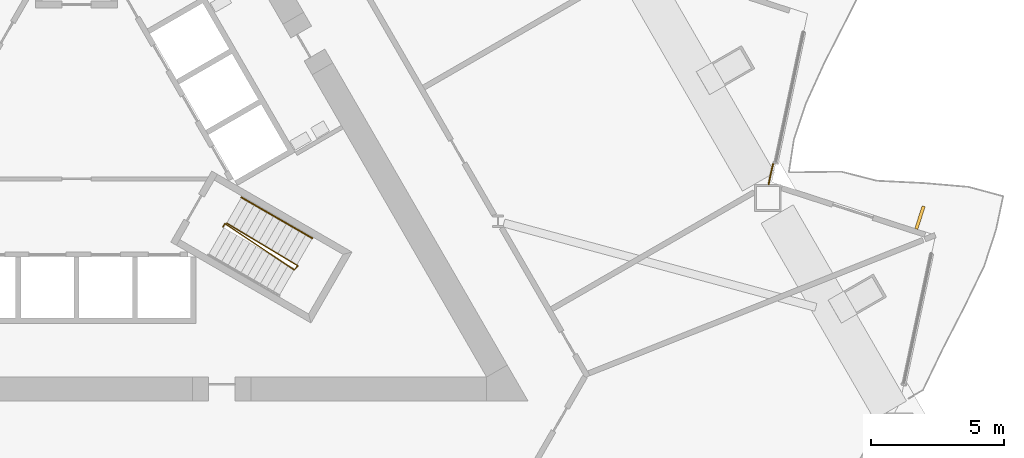
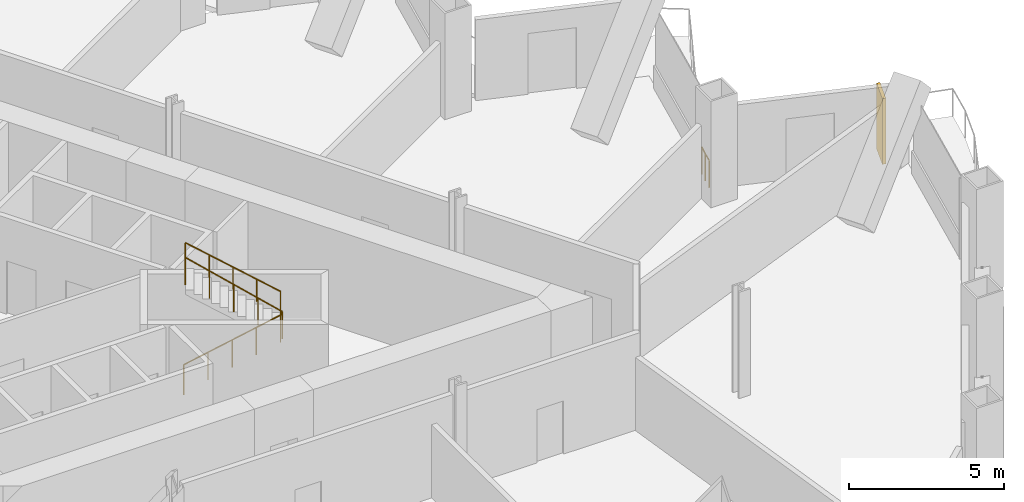
# One storey, part 18 of 22: 3 railings, 1 shading device.
"""IFC4 building model written with IfcOpenShell, lengths in metres."""

from ifc_helpers import new_model, si_unit, direction, frame, origin, origin_2d, place, context, subcontext, project, spatial, rectangle, circle, extrude, material, layer, layer_set, type_object, element, save


model = new_model("IFC4")

# Units and contexts
model_context = context("Model", 3, precision=1e-05, world=origin(), true_north=direction((0.0, 1.0)))
body_context = subcontext(model_context, "Body", "Model", "MODEL_VIEW")
ifc_project = project(units=[si_unit("LENGTHUNIT", "METRE"), si_unit("AREAUNIT", "SQUARE_METRE"), si_unit("VOLUMEUNIT", "CUBIC_METRE"), si_unit("PLANEANGLEUNIT", "RADIAN"), si_unit("MASSUNIT", "GRAM", prefix="KILO")], contexts=[model_context])

# Site, building, storey
site_placement = place(None, origin())
site = spatial("IfcSite", under=ifc_project, at=site_placement, CompositionType="ELEMENT")
building_placement = place(site_placement, origin())
building = spatial("IfcBuilding", under=site, at=building_placement, Name="Cormorant Prow Tower", CompositionType="ELEMENT")
storey_placement = place(building_placement, frame((0.0, 0.0, 30.0)))
storey = spatial("IfcBuildingStorey", under=building, at=storey_placement, Name="L05", CompositionType="ELEMENT", Elevation=30.0)

# Railings
ifc_material_1 = material(Name="Stainless steel", Category="steel")
railing_type_1 = type_object("IfcRailingType", Name="Facade corner guard 1100", PredefinedType="GUARDRAIL", material=ifc_material_1)
railing_1_placement = place(storey_placement, frame((26.23583984375, -0.885009765625, 0.0)))
element("IfcRailing", 1, at=railing_1_placement, inside=storey, type_object=railing_type_1, Name="Facade corner guard L05 6", PredefinedType="GUARDRAIL", context=body_context, shape_type="SweptSolid", body=[
    extrude(circle(Radius=0.02392578125, at=origin_2d()), frame((0.0, 0.0, 1.076171875), z_axis=(-0.243730196982, -0.969843075492, 0.0), x_axis=(0.969843075492, -0.243730196982, 0.0)), (0.0, 0.0, 1.0), 0.384765625),
    extrude(circle(Radius=0.02392578125, at=origin_2d()), frame((-0.09375, -0.373046875, 1.076171875), z_axis=(-0.194948082766, -0.980813562827, 0.0), x_axis=(0.980813562827, -0.194948082766, 0.0)), (0.0, 0.0, 1.0), 0.402099609375),
    extrude(circle(Radius=0.02099609375, at=origin_2d()), origin(), (0.0, 0.0, 1.0), 1.052001953125),
    extrude(circle(Radius=0.02099609375, at=origin_2d()), frame((-0.09375, -0.373046875, 0.0)), (0.0, 0.0, 1.0), 1.052001953125),
    extrude(circle(Radius=0.02099609375, at=origin_2d()), frame((-0.172119140625, -0.767333984375, 0.0)), (0.0, 0.0, 1.0), 1.052001953125),
])
ifc_material_2 = material(Name="Stainless steel", Category="steel")
railing_type_2 = type_object("IfcRailingType", Name="Stair guard 1100", PredefinedType="GUARDRAIL", material=ifc_material_2)
railing_2_placement = place(storey_placement, frame((5.510009765625, -3.267822265625, 0.0)))
element("IfcRailing", 2, at=railing_2_placement, inside=storey, type_object=railing_type_2, Name="L05 ST2 stair guard 1", PredefinedType="GUARDRAIL", context=body_context, shape_type="SweptSolid", body=[
    extrude(circle(Radius=0.02392578125, at=origin_2d()), frame((0.0, 0.0, 1.076171875), z_axis=(0.501036270542, 0.865426285481, 0.0), x_axis=(-0.865426285481, 0.501036270542, 0.0)), (0.0, 0.0, 1.0), 0.150146484375),
    extrude(circle(Radius=0.02392578125, at=origin_2d()), frame((0.0751953125, 0.1298828125, 1.076171875), z_axis=(0.691630634645, -0.46052652377, 0.556383308633), x_axis=(0.554233058506, 0.832361530141, 0.0)), (0.0, 0.0, 1.0), 3.774658203125),
    extrude(circle(Radius=0.02392578125, at=origin_2d()), frame((2.685791015625, -1.6083984375, 3.17626953125), z_axis=(0.695164929852, 0.718850276695, 0.0), x_axis=(-0.718850276695, 0.695164929852, 0.0)), (0.0, 0.0, 1.0), 0.2060546875),
    extrude(circle(Radius=0.02392578125, at=origin_2d()), frame((2.8291015625, -1.460205078125, 3.17626953125), z_axis=(-0.712489022558, 0.426677363931, 0.55705100291), x_axis=(-0.513773053629, -0.857926132814, 0.0)), (0.0, 0.0, 1.0), 3.76953125),
    extrude(circle(Radius=0.02099609375, at=origin_2d()), origin(), (0.0, 0.0, 1.0), 1.052001953125),
    extrude(circle(Radius=0.02099609375, at=origin_2d()), frame((0.0751953125, 0.1298828125, 0.0)), (0.0, 0.0, 1.0), 1.052001953125),
    extrude(circle(Radius=0.02099609375, at=origin_2d()), frame((0.727783203125, -0.3046875, 0.52490234375)), (0.0, 0.0, 1.0), 1.052001953125),
    extrude(circle(Radius=0.02099609375, at=origin_2d()), frame((1.38037109375, -0.7392578125, 1.050048828125)), (0.0, 0.0, 1.0), 1.052001953125),
    extrude(circle(Radius=0.02099609375, at=origin_2d()), frame((2.033203125, -1.173828125, 1.5751953125)), (0.0, 0.0, 1.0), 1.052001953125),
    extrude(circle(Radius=0.02099609375, at=origin_2d()), frame((2.685791015625, -1.6083984375, 2.10009765625)), (0.0, 0.0, 1.0), 1.052001953125),
    extrude(circle(Radius=0.02099609375, at=origin_2d()), frame((2.8291015625, -1.460205078125, 2.10009765625)), (0.0, 0.0, 1.0), 1.052001953125),
    extrude(circle(Radius=0.02099609375, at=origin_2d()), frame((2.15771484375, -1.05810546875, 2.625)), (0.0, 0.0, 1.0), 1.052001953125),
    extrude(circle(Radius=0.02099609375, at=origin_2d()), frame((1.486328125, -0.656005859375, 3.14990234375)), (0.0, 0.0, 1.0), 1.052001953125),
    extrude(circle(Radius=0.02099609375, at=origin_2d()), frame((0.814697265625, -0.25390625, 3.675048828125)), (0.0, 0.0, 1.0), 1.052001953125),
    extrude(circle(Radius=0.02099609375, at=origin_2d()), frame((0.143310546875, 0.148193359375, 4.199951171875)), (0.0, 0.0, 1.0), 1.052001953125),
])
ifc_material_3 = material(Name="Stainless steel", Category="steel")
railing_type_3 = type_object("IfcRailingType", Name="Stair handrail 900", PredefinedType="HANDRAIL", material=ifc_material_3)
railing_3_placement = place(storey_placement, frame((8.88037109375, -3.690673828125, 2.27490234375)))
element("IfcRailing", 3, at=railing_3_placement, inside=storey, type_object=railing_type_3, Name="L05 ST2 stair handrail 2", PredefinedType="HANDRAIL", context=body_context, shape_type="SweptSolid", body=[
    extrude(circle(Radius=0.02392578125, at=origin_2d()), frame((0.0, 0.0, 0.8759765625), z_axis=(-0.734394994316, 0.423994474112, 0.52999309264), x_axis=(-0.499992328818, -0.866029832698, 0.0)), (0.0, 0.0, 1.0), 3.63232421875),
    extrude(circle(Radius=0.02099609375, at=origin_2d()), origin(), (0.0, 0.0, 1.0), 0.851806640625),
    extrude(circle(Radius=0.02099609375, at=origin_2d()), frame((-0.6669921875, 0.385009765625, 0.481201171875)), (0.0, 0.0, 1.0), 0.851806640625),
    extrude(circle(Radius=0.02099609375, at=origin_2d()), frame((-1.333740234375, 0.77001953125, 0.96240234375)), (0.0, 0.0, 1.0), 0.851806640625),
    extrude(circle(Radius=0.02099609375, at=origin_2d()), frame((-2.00048828125, 1.155029296875, 1.44384765625)), (0.0, 0.0, 1.0), 0.851806640625),
    extrude(circle(Radius=0.02099609375, at=origin_2d()), frame((-2.66748046875, 1.5400390625, 1.925048828125)), (0.0, 0.0, 1.0), 0.851806640625),
])

# Shading device
ifc_material_4 = material(Name="Terracotta", Category="masonry")
ifc_layer = layer(ifc_material_4, 0.1201171875)
ifc_layer_set = layer_set([ifc_layer], Name="Terracotta")
shading_device_type = type_object("IfcShadingDeviceType", Name="Terracotta baguette fin 120x900x2600", PredefinedType="USERDEFINED", material=ifc_layer_set)
shading_device_placement = place(storey_placement, frame((31.76123046875, -2.91162109375, 0.0), z_axis=(0.0, 0.0, 1.0), x_axis=(-0.951056505967, 0.309017026162, 0.0)))
element("IfcShadingDevice", 4, at=shading_device_placement, inside=storey, type_object=shading_device_type, Name="Baguette fin ENE01", ObjectType="BAGUETTE", PredefinedType="USERDEFINED", context=body_context, shape_type="SweptSolid", body=[
    extrude(rectangle(XDim=0.1201171875, YDim=0.89990234375, at=origin_2d()), origin(), (0.0, 0.0, 1.0), 2.60009765625),
])

save(model, "model.ifc")
